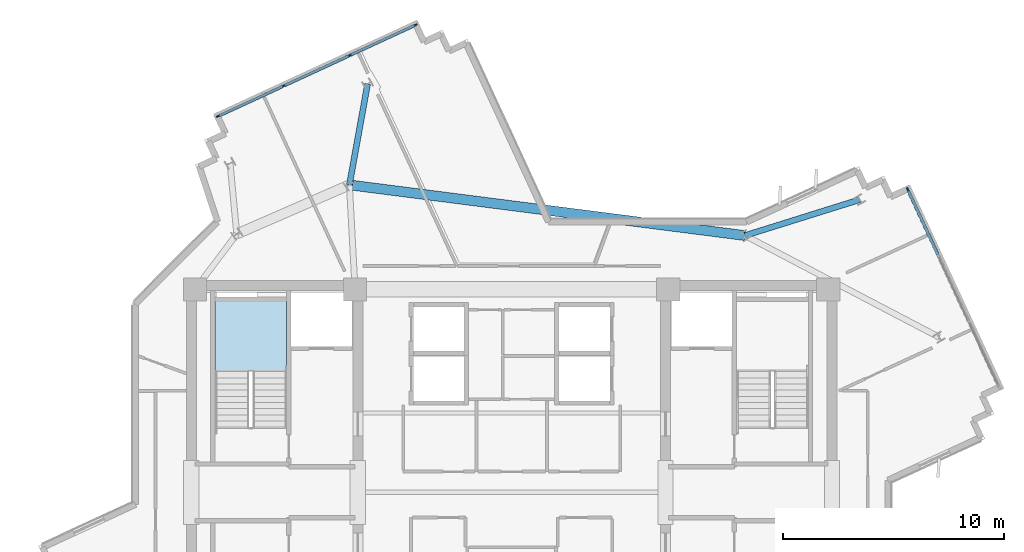
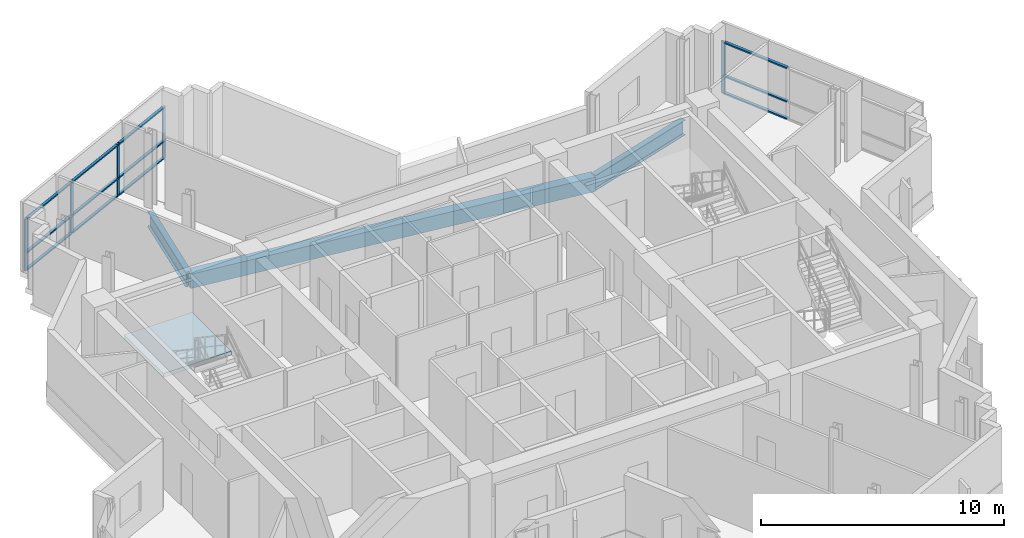
# One storey, part 3 of 12: 17 members, 3 beams, 1 slab, 3 elements without a shape of their own.
"""IFC4 building model written with IfcOpenShell, lengths in metres."""

from ifc_helpers import new_model, si_unit, direction, frame, origin, origin_2d, place, context, subcontext, project, spatial, polyline, rectangle, i_section, outline, extrude, source, transform, mapped, material, layer, layer_set, material_profile, profile_set, type_object, element, aggregate, save


model = new_model("IFC4")

# Units and contexts
model_context = context("Model", 3, precision=1e-05, world=origin(), true_north=direction((0.0, 1.0)))
body_context = subcontext(model_context, "Body", "Model", "MODEL_VIEW")
ifc_project = project(units=[si_unit("LENGTHUNIT", "METRE"), si_unit("AREAUNIT", "SQUARE_METRE"), si_unit("VOLUMEUNIT", "CUBIC_METRE"), si_unit("PLANEANGLEUNIT", "RADIAN"), si_unit("MASSUNIT", "GRAM", prefix="KILO")], contexts=[model_context])

# Site, building, storey
site_placement = place(None, origin())
site = spatial("IfcSite", under=ifc_project, at=site_placement, CompositionType="ELEMENT")
building_placement = place(site_placement, origin())
building = spatial("IfcBuilding", under=site, at=building_placement, Name="Zahravan Cultural Tower", CompositionType="ELEMENT")
storey_placement = place(building_placement, frame((0.0, 0.0, 239.10009765625)))
storey = spatial("IfcBuildingStorey", under=building, at=storey_placement, Name="L56", CompositionType="ELEMENT", Elevation=239.10009765625)

# Beams
ifc_material_1 = material(Name="Steel ASTM A992 Grade 50", Category="steel")
ifc_material_profile_1 = material_profile(ifc_material_1, i_section(OverallWidth=0.26708984375, OverallDepth=0.761962890625, WebThickness=0.014404296875, FlangeThickness=0.021484375, FilletRadius=0.01904296875, at=origin_2d()), Name="W30X116")
ifc_profile_set_1 = profile_set([ifc_material_profile_1], Name="Steel ASTM A992 Grade 50")
beam_type_1 = type_object("IfcBeamType", Name="BM-G-W30X116", PredefinedType="BEAM", material=ifc_profile_set_1)
shared_shape_1 = source(origin(), body_context, "Body", "SweptSolid", [
    extrude(i_section(OverallWidth=0.26708984375, OverallDepth=0.761962890625, WebThickness=0.014404296875, FlangeThickness=0.021484375, FilletRadius=0.01904296875, at=origin_2d()), origin(), (0.0, 0.0, 1.0), 5.450927734375),
])
beam_1_placement = place(storey_placement, frame((46.577880859375, 38.640625, -0.631103515625), z_axis=(0.954416996605, 0.298476459025, 0.0), x_axis=(-0.298476459025, 0.954416996605, 0.0)))
element("IfcBeam", 1, at=beam_1_placement, inside=storey, type_object=beam_type_1, Name="L56 Beam BG-L56-13", PredefinedType="BEAM", context=body_context, shape_type="MappedRepresentation", body=[
    mapped(shared_shape_1, transform((0.0, 0.0, 0.0), x_axis=(1.0, 0.0, 0.0), y_axis=(0.0, 1.0, 0.0), z_axis=(0.0, 0.0, 1.0), scale=1.0)),
])
shared_shape_2 = source(origin(), body_context, "Body", "SweptSolid", [
    extrude(i_section(OverallWidth=0.26708984375, OverallDepth=0.761962890625, WebThickness=0.014404296875, FlangeThickness=0.021484375, FilletRadius=0.01904296875, at=origin_2d()), origin(), (0.0, 0.0, 1.0), 4.65087890625),
])
beam_2_placement = place(storey_placement, frame((28.642578125, 40.937255859375, -0.631103515625), z_axis=(0.177425522697, 0.984134230629, 0.0), x_axis=(-0.984134230629, 0.177425522697, 0.0)))
element("IfcBeam", 2, at=beam_2_placement, inside=storey, type_object=beam_type_1, Name="L56 Beam BG-L56-14", PredefinedType="BEAM", context=body_context, shape_type="MappedRepresentation", body=[
    mapped(shared_shape_2, transform((0.0, 0.0, 0.0), x_axis=(1.0, 0.0, 0.0), y_axis=(0.0, 1.0, 0.0), z_axis=(0.0, 0.0, 1.0), scale=1.0)),
])
ifc_material_2 = material(Name="Concrete C45/55", Category="concrete")
ifc_material_profile_2 = material_profile(ifc_material_2, rectangle(XDim=0.449951171875, YDim=0.719970703125, at=origin_2d()), Name="RC450X720")
ifc_profile_set_2 = profile_set([ifc_material_profile_2], Name="Concrete C45/55")
beam_type_2 = type_object("IfcBeamType", Name="BM-SP-RC450X720", PredefinedType="SPANDREL", material=ifc_profile_set_2)
shared_shape_3 = source(origin(), body_context, "Body", "SweptSolid", [
    extrude(rectangle(XDim=0.449951171875, YDim=0.719970703125, at=origin_2d()), origin(), (0.0, 0.0, 1.0), 18.081787109375),
])
beam_3_placement = place(storey_placement, frame((46.577880859375, 38.640625, -0.610107421875), z_axis=(-0.991900954377, 0.127013765812, 0.0), x_axis=(-0.127013765812, -0.991900954377, 0.0)))
element("IfcBeam", 3, at=beam_3_placement, inside=storey, type_object=beam_type_2, Name="L56 Beam SP-L56-22", PredefinedType="SPANDREL", context=body_context, shape_type="MappedRepresentation", body=[
    mapped(shared_shape_3, transform((0.0, 0.0, 0.0), x_axis=(1.0, 0.0, 0.0), y_axis=(0.0, 1.0, 0.0), z_axis=(0.0, 0.0, 1.0), scale=1.0)),
])

# Curtain wall, members
ifc_material_3 = material(Name="Anodised bronze-aluminium mullion", Category="aluminium")
ifc_layer_1 = layer(ifc_material_3, 0.179931640625)
ifc_layer_set_1 = layer_set([ifc_layer_1], Name="Anodised bronze-aluminium mullion")
curtain_wall_type_1 = type_object("IfcCurtainWallType", Name="CW-SYS-3", PredefinedType="USERDEFINED", material=ifc_layer_set_1)
curtain_wall_1_placement = place(storey_placement, origin())
curtain_wall_1 = element("IfcCurtainWall", 4, at=curtain_wall_1_placement, inside=storey, type_object=curtain_wall_type_1, Name="L56 Recessed Curtain Wall CW-3.1", ObjectType="RECESSED GLAZING", PredefinedType="USERDEFINED")
ifc_material_profile_3 = material_profile(ifc_material_3, rectangle(XDim=0.139892578125, YDim=0.070068359375, at=origin_2d()), Name="AL-T70X140")
ifc_profile_set_3 = profile_set([ifc_material_profile_3], Name="Anodised bronze-aluminium mullion")
member_type_1 = type_object("IfcMemberType", Name="CWT-CW-3", PredefinedType="USERDEFINED", material=ifc_profile_set_3)
shared_shape_4 = source(origin(), body_context, "Body", "SweptSolid", [
    extrude(rectangle(XDim=0.139892578125, YDim=0.070068359375, at=origin_2d()), origin(), (0.0, 0.0, 1.0), 3.20166015625),
])
member_1_placement = place(storey_placement, frame((53.974365234375, 40.692138671875, 0.034912109375), z_axis=(0.419488516178, -0.907760642898, 0.0), x_axis=(0.907760642898, 0.419488516178, 0.0)))
member_1 = element("IfcMember", 5, at=member_1_placement, type_object=member_type_1, Name="CW-3 transom 1.1", ObjectType="TRANSOM", PredefinedType="USERDEFINED", context=body_context, shape_type="MappedRepresentation", body=[
    mapped(shared_shape_4, transform((0.0, 0.0, 0.0), x_axis=(1.0, 0.0, 0.0), y_axis=(0.0, 1.0, 0.0), z_axis=(0.0, 0.0, 1.0), scale=1.0)),
])
member_2_placement = place(storey_placement, frame((53.974365234375, 40.692138671875, 0.89990234375), z_axis=(0.419488516178, -0.907760642898, 0.0), x_axis=(0.907760642898, 0.419488516178, 0.0)))
member_2 = element("IfcMember", 6, at=member_2_placement, type_object=member_type_1, Name="CW-3 transom 1.2", ObjectType="TRANSOM", PredefinedType="USERDEFINED", context=body_context, shape_type="MappedRepresentation", body=[
    mapped(shared_shape_4, transform((0.0, 0.0, 0.0), x_axis=(1.0, 0.0, 0.0), y_axis=(0.0, 1.0, 0.0), z_axis=(0.0, 0.0, 1.0), scale=1.0)),
])
member_3_placement = place(storey_placement, frame((53.974365234375, 40.692138671875, 2.5849609375), z_axis=(0.419488516178, -0.907760642898, 0.0), x_axis=(0.907760642898, 0.419488516178, 0.0)))
member_3 = element("IfcMember", 7, at=member_3_placement, type_object=member_type_1, Name="CW-3 transom 1.3", ObjectType="TRANSOM", PredefinedType="USERDEFINED", context=body_context, shape_type="MappedRepresentation", body=[
    mapped(shared_shape_4, transform((0.0, 0.0, 0.0), x_axis=(1.0, 0.0, 0.0), y_axis=(0.0, 1.0, 0.0), z_axis=(0.0, 0.0, 1.0), scale=1.0)),
])

ifc_layer_2 = layer(ifc_material_3, 0.1650390625)
ifc_layer_set_2 = layer_set([ifc_layer_2], Name="Anodised bronze-aluminium mullion")
curtain_wall_type_2 = type_object("IfcCurtainWallType", Name="CW-SYS-4", PredefinedType="USERDEFINED", material=ifc_layer_set_2)
curtain_wall_2_placement = place(storey_placement, origin())
curtain_wall_2 = element("IfcCurtainWall", 8, at=curtain_wall_2_placement, inside=storey, type_object=curtain_wall_type_2, Name="L56 Recessed Curtain Wall CW-4.2", ObjectType="RECESSED GLAZING", PredefinedType="USERDEFINED")
ifc_material_profile_4 = material_profile(ifc_material_3, rectangle(XDim=0.1298828125, YDim=0.06494140625, at=origin_2d()), Name="AL-T65X130")
ifc_profile_set_4 = profile_set([ifc_material_profile_4], Name="Anodised bronze-aluminium mullion")
member_type_2 = type_object("IfcMemberType", Name="CWT-CW-4", PredefinedType="USERDEFINED", material=ifc_profile_set_4)
shared_shape_5 = source(origin(), body_context, "Body", "SweptSolid", [
    extrude(rectangle(XDim=0.1298828125, YDim=0.06494140625, at=origin_2d()), origin(), (0.0, 0.0, 1.0), 3.241455078125),
])
member_4_placement = place(storey_placement, frame((25.695068359375, 45.43798828125, 0.032470703125), z_axis=(0.907785160542, 0.419435456655, 0.0), x_axis=(-0.419435456655, 0.907785160542, 0.0)))
member_4 = element("IfcMember", 9, at=member_4_placement, type_object=member_type_2, Name="CW-4 transom 2.1", ObjectType="TRANSOM", PredefinedType="USERDEFINED", context=body_context, shape_type="MappedRepresentation", body=[
    mapped(shared_shape_5, transform((0.0, 0.0, 0.0), x_axis=(1.0, 0.0, 0.0), y_axis=(0.0, 1.0, 0.0), z_axis=(0.0, 0.0, 1.0), scale=1.0)),
])
member_5_placement = place(storey_placement, frame((25.695068359375, 45.43798828125, 0.89990234375), z_axis=(0.907785160542, 0.419435456655, 0.0), x_axis=(-0.419435456655, 0.907785160542, 0.0)))
member_5 = element("IfcMember", 10, at=member_5_placement, type_object=member_type_2, Name="CW-4 transom 2.2", ObjectType="TRANSOM", PredefinedType="USERDEFINED", context=body_context, shape_type="MappedRepresentation", body=[
    mapped(shared_shape_5, transform((0.0, 0.0, 0.0), x_axis=(1.0, 0.0, 0.0), y_axis=(0.0, 1.0, 0.0), z_axis=(0.0, 0.0, 1.0), scale=1.0)),
])
member_6_placement = place(storey_placement, frame((25.695068359375, 45.43798828125, 2.58740234375), z_axis=(0.907785160542, 0.419435456655, 0.0), x_axis=(-0.419435456655, 0.907785160542, 0.0)))
member_6 = element("IfcMember", 11, at=member_6_placement, type_object=member_type_2, Name="CW-4 transom 2.3", ObjectType="TRANSOM", PredefinedType="USERDEFINED", context=body_context, shape_type="MappedRepresentation", body=[
    mapped(shared_shape_5, transform((0.0, 0.0, 0.0), x_axis=(1.0, 0.0, 0.0), y_axis=(0.0, 1.0, 0.0), z_axis=(0.0, 0.0, 1.0), scale=1.0)),
])
shared_shape_6 = source(origin(), body_context, "Body", "SweptSolid", [
    extrude(rectangle(XDim=0.1298828125, YDim=0.06494140625, at=origin_2d()), origin(), (0.0, 0.0, 1.0), 3.208984375),
])
member_7_placement = place(storey_placement, frame((22.722900390625, 44.064453125, 0.032470703125), z_axis=(0.907758880937, 0.419492328988, 0.0), x_axis=(-0.419492328988, 0.907758880937, 0.0)))
member_7 = element("IfcMember", 12, at=member_7_placement, type_object=member_type_2, Name="CW-4 transom 1.1", ObjectType="TRANSOM", PredefinedType="USERDEFINED", context=body_context, shape_type="MappedRepresentation", body=[
    mapped(shared_shape_6, transform((0.0, 0.0, 0.0), x_axis=(1.0, 0.0, 0.0), y_axis=(0.0, 1.0, 0.0), z_axis=(0.0, 0.0, 1.0), scale=1.0)),
])
member_8_placement = place(storey_placement, frame((22.722900390625, 44.064453125, 0.89990234375), z_axis=(0.907758880937, 0.419492328988, 0.0), x_axis=(-0.419492328988, 0.907758880937, 0.0)))
member_8 = element("IfcMember", 13, at=member_8_placement, type_object=member_type_2, Name="CW-4 transom 1.2", ObjectType="TRANSOM", PredefinedType="USERDEFINED", context=body_context, shape_type="MappedRepresentation", body=[
    mapped(shared_shape_6, transform((0.0, 0.0, 0.0), x_axis=(1.0, 0.0, 0.0), y_axis=(0.0, 1.0, 0.0), z_axis=(0.0, 0.0, 1.0), scale=1.0)),
])
member_9_placement = place(storey_placement, frame((22.722900390625, 44.064453125, 2.58740234375), z_axis=(0.907758880937, 0.419492328988, 0.0), x_axis=(-0.419492328988, 0.907758880937, 0.0)))
member_9 = element("IfcMember", 14, at=member_9_placement, type_object=member_type_2, Name="CW-4 transom 1.3", ObjectType="TRANSOM", PredefinedType="USERDEFINED", context=body_context, shape_type="MappedRepresentation", body=[
    mapped(shared_shape_6, transform((0.0, 0.0, 0.0), x_axis=(1.0, 0.0, 0.0), y_axis=(0.0, 1.0, 0.0), z_axis=(0.0, 0.0, 1.0), scale=1.0)),
])
member_10_placement = place(storey_placement, frame((28.69677734375, 46.824951171875, 0.032470703125), z_axis=(0.907758880937, 0.419492328988, 0.0), x_axis=(-0.419492328988, 0.907758880937, 0.0)))
member_10 = element("IfcMember", 15, at=member_10_placement, type_object=member_type_2, Name="CW-4 transom 3.1", ObjectType="TRANSOM", PredefinedType="USERDEFINED", context=body_context, shape_type="MappedRepresentation", body=[
    mapped(shared_shape_6, transform((0.0, 0.0, 0.0), x_axis=(1.0, 0.0, 0.0), y_axis=(0.0, 1.0, 0.0), z_axis=(0.0, 0.0, 1.0), scale=1.0)),
])
member_11_placement = place(storey_placement, frame((28.69677734375, 46.824951171875, 0.89990234375), z_axis=(0.907758880937, 0.419492328988, 0.0), x_axis=(-0.419492328988, 0.907758880937, 0.0)))
member_11 = element("IfcMember", 16, at=member_11_placement, type_object=member_type_2, Name="CW-4 transom 3.2", ObjectType="TRANSOM", PredefinedType="USERDEFINED", context=body_context, shape_type="MappedRepresentation", body=[
    mapped(shared_shape_6, transform((0.0, 0.0, 0.0), x_axis=(1.0, 0.0, 0.0), y_axis=(0.0, 1.0, 0.0), z_axis=(0.0, 0.0, 1.0), scale=1.0)),
])
member_12_placement = place(storey_placement, frame((28.69677734375, 46.824951171875, 2.58740234375), z_axis=(0.907758880937, 0.419492328988, 0.0), x_axis=(-0.419492328988, 0.907758880937, 0.0)))
member_12 = element("IfcMember", 17, at=member_12_placement, type_object=member_type_2, Name="CW-4 transom 3.3", ObjectType="TRANSOM", PredefinedType="USERDEFINED", context=body_context, shape_type="MappedRepresentation", body=[
    mapped(shared_shape_6, transform((0.0, 0.0, 0.0), x_axis=(1.0, 0.0, 0.0), y_axis=(0.0, 1.0, 0.0), z_axis=(0.0, 0.0, 1.0), scale=1.0)),
])

# Member
ifc_material_profile_5 = material_profile(ifc_material_3, rectangle(XDim=0.070068359375, YDim=0.179931640625, at=origin_2d()), Name="AL-M70X180")
ifc_profile_set_5 = profile_set([ifc_material_profile_5], Name="Anodised bronze-aluminium mullion")
member_type_3 = type_object("IfcMemberType", Name="CWM-CW-3", PredefinedType="MULLION", material=ifc_profile_set_5)
shared_shape_7 = source(origin(), body_context, "Body", "SweptSolid", [
    extrude(rectangle(XDim=0.070068359375, YDim=0.179931640625, at=origin_2d()), origin(), (0.0, 0.0, 1.0), 2.619873046875),
])
member_13_placement = place(storey_placement, frame((53.959716796875, 40.723876953125, 0.0), z_axis=(0.0, 0.0, 1.0), x_axis=(0.907775189262, 0.419457036846, 0.0)))
member_13 = element("IfcMember", 18, at=member_13_placement, type_object=member_type_3, Name="CW-3 mullion 1", PredefinedType="MULLION", context=body_context, shape_type="MappedRepresentation", body=[
    mapped(shared_shape_7, transform((0.0, 0.0, 0.0), x_axis=(1.0, 0.0, 0.0), y_axis=(0.0, 1.0, 0.0), z_axis=(0.0, 0.0, 1.0), scale=1.0)),
])

aggregate(curtain_wall_1, [member_13, member_1, member_2, member_3])

ifc_material_profile_6 = material_profile(ifc_material_3, rectangle(XDim=0.06494140625, YDim=0.1650390625, at=origin_2d()), Name="AL-M65X165")
ifc_profile_set_6 = profile_set([ifc_material_profile_6], Name="Anodised bronze-aluminium mullion")
member_type_4 = type_object("IfcMemberType", Name="CWM-CW-4", PredefinedType="MULLION", material=ifc_profile_set_6)
shared_shape_8 = source(origin(), body_context, "Body", "SweptSolid", [
    extrude(rectangle(XDim=0.06494140625, YDim=0.1650390625, at=origin_2d()), origin(), (0.0, 0.0, 1.0), 2.619873046875),
])
member_14_placement = place(storey_placement, frame((22.693359375, 44.051025390625, 0.0), z_axis=(0.0, 0.0, 1.0), x_axis=(-0.419457036846, 0.907775189262, 0.0)))
member_14 = element("IfcMember", 19, at=member_14_placement, type_object=member_type_4, Name="CW-4 mullion 1", PredefinedType="MULLION", context=body_context, shape_type="MappedRepresentation", body=[
    mapped(shared_shape_8, transform((0.0, 0.0, 0.0), x_axis=(1.0, 0.0, 0.0), y_axis=(0.0, 1.0, 0.0), z_axis=(0.0, 0.0, 1.0), scale=1.0)),
])

member_15_placement = place(storey_placement, frame((25.66552734375, 45.42431640625, 0.0), z_axis=(0.0, 0.0, 1.0), x_axis=(-0.419457036846, 0.907775189262, 0.0)))
member_15 = element("IfcMember", 20, at=member_15_placement, type_object=member_type_4, Name="CW-4 mullion 2", PredefinedType="MULLION", context=body_context, shape_type="MappedRepresentation", body=[
    mapped(shared_shape_8, transform((0.0, 0.0, 0.0), x_axis=(1.0, 0.0, 0.0), y_axis=(0.0, 1.0, 0.0), z_axis=(0.0, 0.0, 1.0), scale=1.0)),
])

member_16_placement = place(storey_placement, frame((28.667236328125, 46.811279296875, 0.0), z_axis=(0.0, 0.0, 1.0), x_axis=(-0.419457036846, 0.907775189262, 0.0)))
member_16 = element("IfcMember", 21, at=member_16_placement, type_object=member_type_4, Name="CW-4 mullion 3", PredefinedType="MULLION", context=body_context, shape_type="MappedRepresentation", body=[
    mapped(shared_shape_8, transform((0.0, 0.0, 0.0), x_axis=(1.0, 0.0, 0.0), y_axis=(0.0, 1.0, 0.0), z_axis=(0.0, 0.0, 1.0), scale=1.0)),
])

member_17_placement = place(storey_placement, frame((31.639404296875, 48.1845703125, 0.0), z_axis=(0.0, 0.0, 1.0), x_axis=(-0.419457036846, 0.907775189262, 0.0)))
member_17 = element("IfcMember", 22, at=member_17_placement, type_object=member_type_4, Name="CW-4 mullion 4", PredefinedType="MULLION", context=body_context, shape_type="MappedRepresentation", body=[
    mapped(shared_shape_8, transform((0.0, 0.0, 0.0), x_axis=(1.0, 0.0, 0.0), y_axis=(0.0, 1.0, 0.0), z_axis=(0.0, 0.0, 1.0), scale=1.0)),
])

aggregate(curtain_wall_2, [member_14, member_15, member_16, member_17, member_7, member_8, member_9, member_4, member_5, member_6, member_10, member_11, member_12])

# Stair, slab
stair_type = type_object("IfcStairType", Name="STR-DL-1550-375", PredefinedType="HALF_TURN_STAIR", material=ifc_material_2)
stair_placement = place(storey_placement, origin())
stair = element("IfcStair", 23, at=stair_placement, inside=storey, type_object=stair_type, Name="L56 West Core North Exit Stair ST-W1", PredefinedType="HALF_TURN_STAIR")
ifc_layer_3 = layer(ifc_material_2, 0.199951171875)
ifc_layer_set_3 = layer_set([ifc_layer_3], Name="Concrete C45/55")
slab_type = type_object("IfcSlabType", Name="SL-STAIR-LND200", PredefinedType="LANDING", material=ifc_layer_set_3)
slab_placement = place(storey_placement, frame((0.0, 0.0, 1.6748046875)))
slab = element("IfcSlab", 24, at=slab_placement, type_object=slab_type, Name="ST-W1 landing 1", PredefinedType="LANDING", context=body_context, shape_type="SweptSolid", body=[
    extrude(outline(polyline([(25.800048828125, 32.469970703125), (25.800048828125, 35.699951171875), (22.550048828125, 35.699951171875), (22.550048828125, 32.469970703125), (25.800048828125, 32.469970703125)])), origin(), (0.0, 0.0, 1.0), 0.2001953125),
])
aggregate(stair, [slab])

save(model, "model.ifc")
